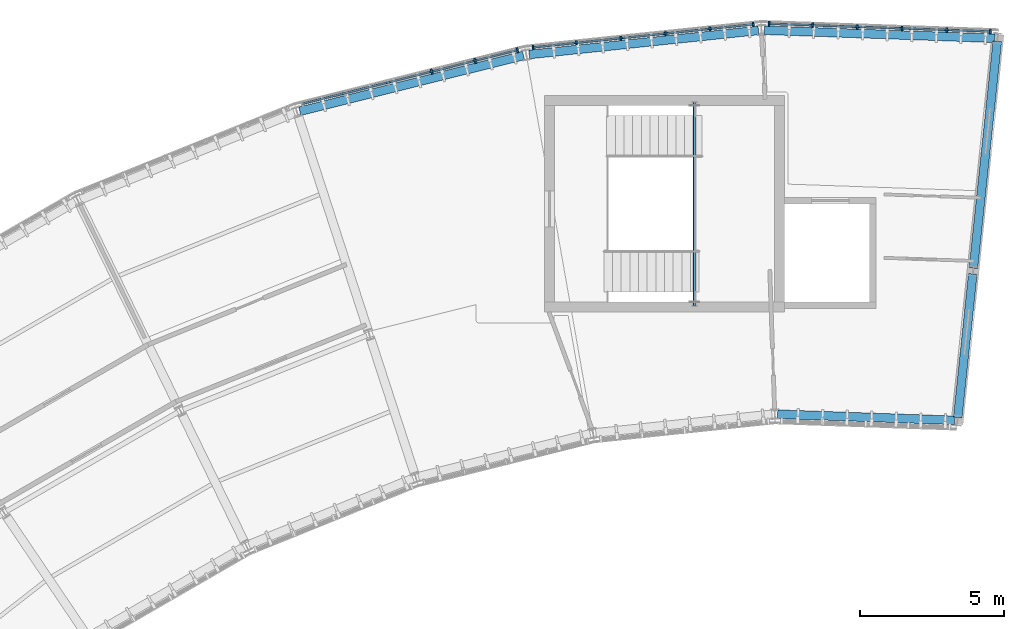
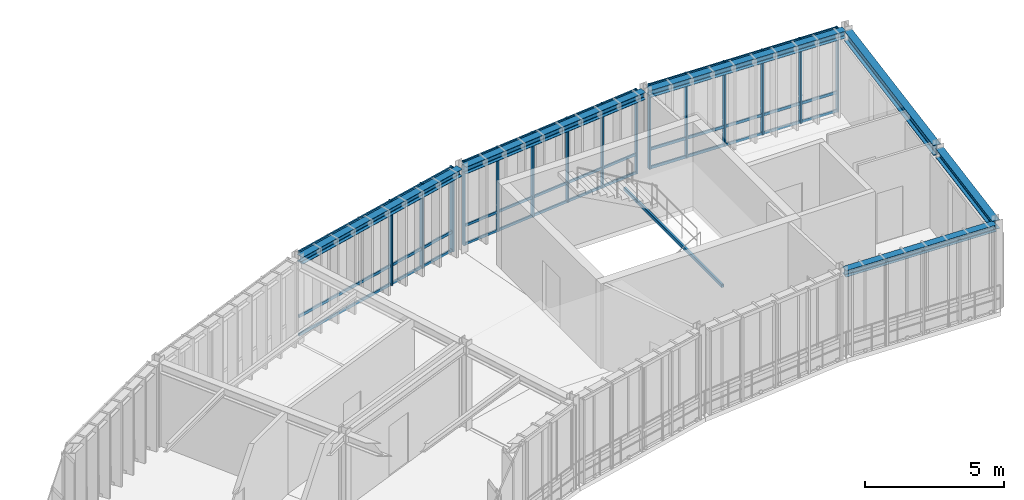
# One storey, part 17 of 41: 25 members, 6 beams, 3 elements without a shape of their own.
"""IFC4 building model written with IfcOpenShell, lengths in metres."""

from ifc_helpers import new_model, si_unit, direction, frame, origin, origin_2d, place, context, subcontext, project, spatial, rectangle, hollow_rectangle, i_section, extrude, material, layer, layer_set, material_profile, profile_set, type_object, element, aggregate, save


model = new_model("IFC4")

# Units and contexts
model_context = context("Model", 3, precision=1e-05, world=origin(), true_north=direction((0.0, 1.0)))
body_context = subcontext(model_context, "Body", "Model", "MODEL_VIEW")
ifc_project = project(units=[si_unit("LENGTHUNIT", "METRE"), si_unit("AREAUNIT", "SQUARE_METRE"), si_unit("VOLUMEUNIT", "CUBIC_METRE"), si_unit("PLANEANGLEUNIT", "RADIAN"), si_unit("MASSUNIT", "GRAM", prefix="KILO"), si_unit("THERMODYNAMICTEMPERATUREUNIT", "KELVIN"), si_unit("POWERUNIT", "WATT")], contexts=[model_context])

# Site, building, storey
site_placement = place(None, origin())
site = spatial("IfcSite", under=ifc_project, at=site_placement, CompositionType="ELEMENT")
building_placement = place(site_placement, origin())
building = spatial("IfcBuilding", under=site, at=building_placement, Name="Solvatero Civic Police Headquarters", CompositionType="ELEMENT")
storey_placement = place(building_placement, frame((0.0, 0.0, 17.699951171875)))
storey = spatial("IfcBuildingStorey", under=building, at=storey_placement, Name="L04", CompositionType="ELEMENT", Elevation=17.699951171875)

# Beams
ifc_material_1 = material(Name="Steel S355", Category="steel")
ifc_material_profile_1 = material_profile(ifc_material_1, i_section(OverallWidth=0.300048828125, OverallDepth=0.2900390625, WebThickness=0.008544921875, FlangeThickness=0.013916015625, FilletRadius=0.027099609375, at=origin_2d()), Name="HEA 300")
ifc_profile_set_1 = profile_set([ifc_material_profile_1], Name="Steel S355")
beam_type_1 = type_object("IfcBeamType", Name="BM-ST-HEA300", PredefinedType="SPANDREL", material=ifc_profile_set_1)
beam_1_placement = place(storey_placement, frame((98.640380859375, 71.10498046875, 3.554931640625), z_axis=(-0.999390615504, 0.034905553175, 0.0), x_axis=(-0.034905553175, -0.999390615504, 0.0)))
element("IfcBeam", 1, at=beam_1_placement, inside=storey, type_object=beam_type_1, Name="Perimeter / radial spandrel beam BM-R2-L04-ARC-CIN-B01", PredefinedType="SPANDREL", context=body_context, shape_type="SweptSolid", body=[
    extrude(i_section(OverallWidth=0.300048828125, OverallDepth=0.2900390625, WebThickness=0.008544921875, FlangeThickness=0.013916015625, FilletRadius=0.027099609375, at=origin_2d()), origin(), (0.0, 0.0, 1.0), 6.126953125),
])
ifc_material_profile_2 = material_profile(ifc_material_1, i_section(OverallWidth=0.300048828125, OverallDepth=0.31005859375, WebThickness=0.009033203125, FlangeThickness=0.015380859375, FilletRadius=0.027099609375, at=origin_2d()), Name="HEA 320")
ifc_profile_set_2 = profile_set([ifc_material_profile_2], Name="Steel S355")
beam_type_2 = type_object("IfcBeamType", Name="BM-ST-HEA320", PredefinedType="SPANDREL", material=ifc_profile_set_2)
beam_2_placement = place(storey_placement, frame((100.03076171875, 84.332275390625, 3.545166015625), z_axis=(-0.999390940069, 0.034896259223, 0.0), x_axis=(-0.034896259223, -0.999390940069, 0.0)))
element("IfcBeam", 2, at=beam_2_placement, inside=storey, type_object=beam_type_2, Name="Perimeter / radial spandrel beam BM-R2-L04-ARC-COUT-B01", PredefinedType="SPANDREL", context=body_context, shape_type="SweptSolid", body=[
    extrude(i_section(OverallWidth=0.300048828125, OverallDepth=0.31005859375, WebThickness=0.009033203125, FlangeThickness=0.015380859375, FilletRadius=0.027099609375, at=origin_2d()), origin(), (0.0, 0.0, 1.0), 7.982666015625),
])
beam_3_placement = place(storey_placement, frame((91.853515625, 84.603759765625, 3.545166015625), z_axis=(-0.994523705386, -0.10451124066, 0.0), x_axis=(0.10451124066, -0.994523705386, 0.0)))
element("IfcBeam", 3, at=beam_3_placement, inside=storey, type_object=beam_type_2, Name="Perimeter / radial spandrel beam BM-R2-L04-ARC-COUT-B02", PredefinedType="SPANDREL", context=body_context, shape_type="SweptSolid", body=[
    extrude(i_section(OverallWidth=0.300048828125, OverallDepth=0.31005859375, WebThickness=0.009033203125, FlangeThickness=0.015380859375, FilletRadius=0.027099609375, at=origin_2d()), origin(), (0.0, 0.0, 1.0), 7.982177734375),
])
beam_4_placement = place(storey_placement, frame((83.718505859375, 83.73486328125, 3.545166015625), z_axis=(-0.970295230115, -0.241923885586, 0.0), x_axis=(0.241923885586, -0.970295230115, 0.0)))
element("IfcBeam", 4, at=beam_4_placement, inside=storey, type_object=beam_type_2, Name="Perimeter / radial spandrel beam BM-R2-L04-ARC-COUT-B03", PredefinedType="SPANDREL", context=body_context, shape_type="SweptSolid", body=[
    extrude(i_section(OverallWidth=0.300048828125, OverallDepth=0.31005859375, WebThickness=0.009033203125, FlangeThickness=0.015380859375, FilletRadius=0.027099609375, at=origin_2d()), origin(), (0.0, 0.0, 1.0), 7.982421875),
])
ifc_material_profile_3 = material_profile(ifc_material_1, i_section(OverallWidth=0.300048828125, OverallDepth=0.389892578125, WebThickness=0.010986328125, FlangeThickness=0.01904296875, FilletRadius=0.027099609375, at=origin_2d()), Name="HEA 400")
ifc_profile_set_3 = profile_set([ifc_material_profile_3], Name="Steel S355")
beam_type_3 = type_object("IfcBeamType", Name="BM-ST-HEA400", PredefinedType="BEAM", material=ifc_profile_set_3)
beam_5_placement = place(storey_placement, frame((98.7509765625, 71.201171875, 3.505126953125), z_axis=(0.104496685935, 0.994525234787, 0.0), x_axis=(-0.994525234787, 0.104496685935, 0.0)))
element("IfcBeam", 5, at=beam_5_placement, inside=storey, type_object=beam_type_3, Name="Primary girder BM-R2-L04-ARC-RAD1-S00", PredefinedType="BEAM", context=body_context, shape_type="SweptSolid", body=[
    extrude(i_section(OverallWidth=0.300048828125, OverallDepth=0.389892578125, WebThickness=0.010986328125, FlangeThickness=0.01904296875, FilletRadius=0.027099609375, at=origin_2d()), origin(), (0.0, 0.0, 1.0), 4.999755859375),
])
ifc_material_profile_4 = material_profile(ifc_material_1, i_section(OverallWidth=0.300048828125, OverallDepth=0.43994140625, WebThickness=0.011474609375, FlangeThickness=0.02099609375, FilletRadius=0.027099609375, at=origin_2d()), Name="HEA 450")
ifc_profile_set_4 = profile_set([ifc_material_profile_4], Name="Steel S355")
beam_type_4 = type_object("IfcBeamType", Name="BM-ST-HEA450", PredefinedType="BEAM", material=ifc_profile_set_4)
beam_6_placement = place(storey_placement, frame((99.29443359375, 76.37255859375, 3.47998046875), z_axis=(0.104517477854, 0.99452304992, 0.0), x_axis=(-0.99452304992, 0.104517477854, 0.0)))
element("IfcBeam", 6, at=beam_6_placement, inside=storey, type_object=beam_type_4, Name="Primary girder BM-R2-L04-ARC-RAD2-S00", PredefinedType="BEAM", context=body_context, shape_type="SweptSolid", body=[
    extrude(i_section(OverallWidth=0.300048828125, OverallDepth=0.43994140625, WebThickness=0.011474609375, FlangeThickness=0.02099609375, FilletRadius=0.027099609375, at=origin_2d()), origin(), (0.0, 0.0, 1.0), 7.89990234375),
])

# Curtain wall, members
ifc_material_2 = material(Name="Anodized Bronze Aluminium", Category="aluminium")
ifc_layer = layer(ifc_material_2, 0.179931640625)
ifc_layer_set = layer_set([ifc_layer], Name="Anodized Bronze Aluminium")
curtain_wall_type = type_object("IfcCurtainWallType", Name="CW-ARC-OUT", PredefinedType="USERDEFINED", material=ifc_layer_set)
curtain_wall_1_placement = place(storey_placement, origin())
curtain_wall_1 = element("IfcCurtainWall", 7, at=curtain_wall_1_placement, inside=storey, type_object=curtain_wall_type, Name="Curtain Wall CW-R2-L04-ARC-OUT-B02", ObjectType="UNITISED", PredefinedType="USERDEFINED")
ifc_material_profile_5 = material_profile(ifc_material_2, rectangle(XDim=0.06005859375, YDim=0.139892578125, at=origin_2d()), Name="ALU MULLION 60x140")
ifc_profile_set_5 = profile_set([ifc_material_profile_5], Name="Anodized Bronze Aluminium")
member_type_1 = type_object("IfcMemberType", Name="CWM-160x65", PredefinedType="MULLION", material=ifc_profile_set_5)
member_1_placement = place(storey_placement, frame((91.67041015625, 84.815185546875, 0.0), z_axis=(0.0, 0.0, 1.0), x_axis=(-0.994523719583, -0.10451110557, 0.0)))
member_1 = element("IfcMember", 8, at=member_1_placement, type_object=member_type_1, Name="CW-R2-L04-ARC-OUT-B02 Mullion 1", PredefinedType="MULLION", context=body_context, shape_type="SweptSolid", body=[
    extrude(rectangle(XDim=0.06005859375, YDim=0.139892578125, at=origin_2d()), origin(), (0.0, 0.0, 1.0), 3.699951171875),
])
member_2_placement = place(storey_placement, frame((90.17041015625, 84.657470703125, 0.0), z_axis=(0.0, 0.0, 1.0), x_axis=(-0.994523719583, -0.10451110557, 0.0)))
member_2 = element("IfcMember", 9, at=member_2_placement, type_object=member_type_1, Name="CW-R2-L04-ARC-OUT-B02 Mullion 2", PredefinedType="MULLION", context=body_context, shape_type="SweptSolid", body=[
    extrude(rectangle(XDim=0.06005859375, YDim=0.139892578125, at=origin_2d()), origin(), (0.0, 0.0, 1.0), 3.699951171875),
])
member_3_placement = place(storey_placement, frame((88.63037109375, 84.49560546875, 0.0), z_axis=(0.0, 0.0, 1.0), x_axis=(-0.994523719583, -0.10451110557, 0.0)))
member_3 = element("IfcMember", 10, at=member_3_placement, type_object=member_type_1, Name="CW-R2-L04-ARC-OUT-B02 Mullion 3", PredefinedType="MULLION", context=body_context, shape_type="SweptSolid", body=[
    extrude(rectangle(XDim=0.06005859375, YDim=0.139892578125, at=origin_2d()), origin(), (0.0, 0.0, 1.0), 3.699951171875),
])
member_4_placement = place(storey_placement, frame((87.09033203125, 84.333740234375, 0.0), z_axis=(0.0, 0.0, 1.0), x_axis=(-0.994523719583, -0.10451110557, 0.0)))
member_4 = element("IfcMember", 11, at=member_4_placement, type_object=member_type_1, Name="CW-R2-L04-ARC-OUT-B02 Mullion 4", PredefinedType="MULLION", context=body_context, shape_type="SweptSolid", body=[
    extrude(rectangle(XDim=0.06005859375, YDim=0.139892578125, at=origin_2d()), origin(), (0.0, 0.0, 1.0), 3.699951171875),
])
member_5_placement = place(storey_placement, frame((85.55029296875, 84.172119140625, 0.0), z_axis=(0.0, 0.0, 1.0), x_axis=(-0.994523719583, -0.10451110557, 0.0)))
member_5 = element("IfcMember", 12, at=member_5_placement, type_object=member_type_1, Name="CW-R2-L04-ARC-OUT-B02 Mullion 5", PredefinedType="MULLION", context=body_context, shape_type="SweptSolid", body=[
    extrude(rectangle(XDim=0.06005859375, YDim=0.139892578125, at=origin_2d()), origin(), (0.0, 0.0, 1.0), 3.699951171875),
])
member_6_placement = place(storey_placement, frame((84.050048828125, 84.014404296875, 0.0), z_axis=(0.0, 0.0, 1.0), x_axis=(-0.994523719583, -0.10451110557, 0.0)))
member_6 = element("IfcMember", 13, at=member_6_placement, type_object=member_type_1, Name="CW-R2-L04-ARC-OUT-B02 Mullion 6", PredefinedType="MULLION", context=body_context, shape_type="SweptSolid", body=[
    extrude(rectangle(XDim=0.06005859375, YDim=0.139892578125, at=origin_2d()), origin(), (0.0, 0.0, 1.0), 3.699951171875),
])

curtain_wall_2_placement = place(storey_placement, origin())
curtain_wall_2 = element("IfcCurtainWall", 14, at=curtain_wall_2_placement, inside=storey, type_object=curtain_wall_type, Name="Curtain Wall CW-R2-L04-ARC-OUT-B01", ObjectType="UNITISED", PredefinedType="USERDEFINED")
ifc_material_profile_6 = material_profile(ifc_material_2, rectangle(XDim=0.06005859375, YDim=0.159912109375, at=origin_2d()), Name="ALU MULLION 60x160")
ifc_profile_set_6 = profile_set([ifc_material_profile_6], Name="Anodized Bronze Aluminium")
member_type_2 = type_object("IfcMemberType", Name="CWM-180x70", PredefinedType="MULLION", material=ifc_profile_set_6)
member_7_placement = place(storey_placement, frame((99.878662109375, 84.56689453125, 0.0), z_axis=(0.0, 0.0, 1.0), x_axis=(-0.999390217756, 0.034916939358, 0.0)))
member_7 = element("IfcMember", 15, at=member_7_placement, type_object=member_type_2, Name="CW-R2-L04-ARC-OUT-B01 Mullion 1", PredefinedType="MULLION", context=body_context, shape_type="SweptSolid", body=[
    extrude(rectangle(XDim=0.06005859375, YDim=0.159912109375, at=origin_2d()), origin(), (0.0, 0.0, 1.0), 3.699951171875),
])
member_8_placement = place(storey_placement, frame((98.37109375, 84.61962890625, 0.0), z_axis=(0.0, 0.0, 1.0), x_axis=(-0.999390217756, 0.034916939358, 0.0)))
member_8 = element("IfcMember", 16, at=member_8_placement, type_object=member_type_2, Name="CW-R2-L04-ARC-OUT-B01 Mullion 2", PredefinedType="MULLION", context=body_context, shape_type="SweptSolid", body=[
    extrude(rectangle(XDim=0.06005859375, YDim=0.159912109375, at=origin_2d()), origin(), (0.0, 0.0, 1.0), 3.699951171875),
])
member_9_placement = place(storey_placement, frame((96.823486328125, 84.673583984375, 0.0), z_axis=(0.0, 0.0, 1.0), x_axis=(-0.999390217756, 0.034916939358, 0.0)))
member_9 = element("IfcMember", 17, at=member_9_placement, type_object=member_type_2, Name="CW-R2-L04-ARC-OUT-B01 Mullion 3", PredefinedType="MULLION", context=body_context, shape_type="SweptSolid", body=[
    extrude(rectangle(XDim=0.06005859375, YDim=0.159912109375, at=origin_2d()), origin(), (0.0, 0.0, 1.0), 3.699951171875),
])
member_10_placement = place(storey_placement, frame((95.276123046875, 84.727783203125, 0.0), z_axis=(0.0, 0.0, 1.0), x_axis=(-0.999390217756, 0.034916939358, 0.0)))
member_10 = element("IfcMember", 18, at=member_10_placement, type_object=member_type_2, Name="CW-R2-L04-ARC-OUT-B01 Mullion 4", PredefinedType="MULLION", context=body_context, shape_type="SweptSolid", body=[
    extrude(rectangle(XDim=0.06005859375, YDim=0.159912109375, at=origin_2d()), origin(), (0.0, 0.0, 1.0), 3.699951171875),
])
member_11_placement = place(storey_placement, frame((93.728515625, 84.78173828125, 0.0), z_axis=(0.0, 0.0, 1.0), x_axis=(-0.999390217756, 0.034916939358, 0.0)))
member_11 = element("IfcMember", 19, at=member_11_placement, type_object=member_type_2, Name="CW-R2-L04-ARC-OUT-B01 Mullion 5", PredefinedType="MULLION", context=body_context, shape_type="SweptSolid", body=[
    extrude(rectangle(XDim=0.06005859375, YDim=0.159912109375, at=origin_2d()), origin(), (0.0, 0.0, 1.0), 3.699951171875),
])
member_12_placement = place(storey_placement, frame((92.220947265625, 84.83447265625, 0.0), z_axis=(0.0, 0.0, 1.0), x_axis=(-0.999390217756, 0.034916939358, 0.0)))
member_12 = element("IfcMember", 20, at=member_12_placement, type_object=member_type_2, Name="CW-R2-L04-ARC-OUT-B01 Mullion 6", PredefinedType="MULLION", context=body_context, shape_type="SweptSolid", body=[
    extrude(rectangle(XDim=0.06005859375, YDim=0.159912109375, at=origin_2d()), origin(), (0.0, 0.0, 1.0), 3.699951171875),
])

curtain_wall_3_placement = place(storey_placement, origin())
curtain_wall_3 = element("IfcCurtainWall", 21, at=curtain_wall_3_placement, inside=storey, type_object=curtain_wall_type, Name="Curtain Wall CW-R2-L04-ARC-OUT-B03", ObjectType="UNITISED", PredefinedType="USERDEFINED")
ifc_material_profile_7 = material_profile(ifc_material_2, rectangle(XDim=0.06494140625, YDim=0.179931640625, at=origin_2d()), Name="ALU MULLION 65x180")
ifc_profile_set_7 = profile_set([ifc_material_profile_7], Name="Anodized Bronze Aluminium")
member_type_3 = type_object("IfcMemberType", Name="CWM-200x75", PredefinedType="MULLION", material=ifc_profile_set_7)
member_13_placement = place(storey_placement, frame((83.5078125, 83.918701171875, 0.0), z_axis=(0.0, 0.0, 1.0), x_axis=(-0.970295726276, -0.2419218956, 0.0)))
member_13 = element("IfcMember", 22, at=member_13_placement, type_object=member_type_3, Name="CW-R2-L04-ARC-OUT-B03 Mullion 1", PredefinedType="MULLION", context=body_context, shape_type="SweptSolid", body=[
    extrude(rectangle(XDim=0.06494140625, YDim=0.179931640625, at=origin_2d()), origin(), (0.0, 0.0, 1.0), 3.699951171875),
])
member_14_placement = place(storey_placement, frame((82.0419921875, 83.55322265625, 0.0), z_axis=(0.0, 0.0, 1.0), x_axis=(-0.970295726276, -0.2419218956, 0.0)))
member_14 = element("IfcMember", 23, at=member_14_placement, type_object=member_type_3, Name="CW-R2-L04-ARC-OUT-B03 Mullion 2", PredefinedType="MULLION", context=body_context, shape_type="SweptSolid", body=[
    extrude(rectangle(XDim=0.06494140625, YDim=0.179931640625, at=origin_2d()), origin(), (0.0, 0.0, 1.0), 3.699951171875),
])
member_15_placement = place(storey_placement, frame((80.53759765625, 83.17822265625, 0.0), z_axis=(0.0, 0.0, 1.0), x_axis=(-0.970295726276, -0.2419218956, 0.0)))
member_15 = element("IfcMember", 24, at=member_15_placement, type_object=member_type_3, Name="CW-R2-L04-ARC-OUT-B03 Mullion 3", PredefinedType="MULLION", context=body_context, shape_type="SweptSolid", body=[
    extrude(rectangle(XDim=0.06494140625, YDim=0.179931640625, at=origin_2d()), origin(), (0.0, 0.0, 1.0), 3.699951171875),
])

# Member
ifc_material_profile_8 = material_profile(ifc_material_2, rectangle(XDim=0.06005859375, YDim=0.110107421875, at=origin_2d()), Name="ALU TRANSOM 60x110")
ifc_profile_set_8 = profile_set([ifc_material_profile_8], Name="Anodized Bronze Aluminium")
member_type_4 = type_object("IfcMemberType", Name="CWT-140x60", PredefinedType="USERDEFINED", material=ifc_profile_set_8)
member_16_placement = place(storey_placement, frame((91.66064453125, 84.814208984375, 0.0400390625), z_axis=(-0.994522244231, -0.104525144004, 0.0), x_axis=(0.104525144004, -0.994522244231, 0.0)))
member_16 = element("IfcMember", 25, at=member_16_placement, type_object=member_type_4, Name="CW-R2-L04-ARC-OUT-B02 Transom 1", ObjectType="TRANSOM", PredefinedType="USERDEFINED", context=body_context, shape_type="SweptSolid", body=[
    extrude(rectangle(XDim=0.06005859375, YDim=0.110107421875, at=origin_2d()), origin(), (0.0, 0.0, 1.0), 7.642333984375),
])

member_17_placement = place(storey_placement, frame((91.66064453125, 84.814208984375, 0.85009765625), z_axis=(-0.994522244231, -0.104525144004, 0.0), x_axis=(0.104525144004, -0.994522244231, 0.0)))
member_17 = element("IfcMember", 26, at=member_17_placement, type_object=member_type_4, Name="CW-R2-L04-ARC-OUT-B02 Transom 2", ObjectType="TRANSOM", PredefinedType="USERDEFINED", context=body_context, shape_type="SweptSolid", body=[
    extrude(rectangle(XDim=0.06005859375, YDim=0.110107421875, at=origin_2d()), origin(), (0.0, 0.0, 1.0), 7.642333984375),
])

member_18_placement = place(storey_placement, frame((91.66064453125, 84.814208984375, 3.66015625), z_axis=(-0.994522244231, -0.104525144004, 0.0), x_axis=(0.104525144004, -0.994522244231, 0.0)))
member_18 = element("IfcMember", 27, at=member_18_placement, type_object=member_type_4, Name="CW-R2-L04-ARC-OUT-B02 Transom 3", ObjectType="TRANSOM", PredefinedType="USERDEFINED", context=body_context, shape_type="SweptSolid", body=[
    extrude(rectangle(XDim=0.06005859375, YDim=0.110107421875, at=origin_2d()), origin(), (0.0, 0.0, 1.0), 7.642333984375),
])

aggregate(curtain_wall_1, [member_1, member_2, member_3, member_4, member_5, member_6, member_16, member_17, member_18])

ifc_material_profile_9 = material_profile(ifc_material_2, rectangle(XDim=0.06005859375, YDim=0.125, at=origin_2d()), Name="ALU TRANSOM 60x125")
ifc_profile_set_9 = profile_set([ifc_material_profile_9], Name="Anodized Bronze Aluminium")
member_type_5 = type_object("IfcMemberType", Name="CWT-160x65", PredefinedType="USERDEFINED", material=ifc_profile_set_9)
member_19_placement = place(storey_placement, frame((99.86865234375, 84.5673828125, 0.0400390625), z_axis=(-0.999390226705, 0.034916683218, 0.0), x_axis=(-0.034916683218, -0.999390226705, 0.0)))
member_19 = element("IfcMember", 28, at=member_19_placement, type_object=member_type_5, Name="CW-R2-L04-ARC-OUT-B01 Transom 1", ObjectType="TRANSOM", PredefinedType="USERDEFINED", context=body_context, shape_type="SweptSolid", body=[
    extrude(rectangle(XDim=0.06005859375, YDim=0.125, at=origin_2d()), origin(), (0.0, 0.0, 1.0), 7.642333984375),
])

member_20_placement = place(storey_placement, frame((99.86865234375, 84.5673828125, 0.85009765625), z_axis=(-0.999390226705, 0.034916683218, 0.0), x_axis=(-0.034916683218, -0.999390226705, 0.0)))
member_20 = element("IfcMember", 29, at=member_20_placement, type_object=member_type_5, Name="CW-R2-L04-ARC-OUT-B01 Transom 2", ObjectType="TRANSOM", PredefinedType="USERDEFINED", context=body_context, shape_type="SweptSolid", body=[
    extrude(rectangle(XDim=0.06005859375, YDim=0.125, at=origin_2d()), origin(), (0.0, 0.0, 1.0), 7.642333984375),
])

member_21_placement = place(storey_placement, frame((99.86865234375, 84.5673828125, 3.66015625), z_axis=(-0.999390226705, 0.034916683218, 0.0), x_axis=(-0.034916683218, -0.999390226705, 0.0)))
member_21 = element("IfcMember", 30, at=member_21_placement, type_object=member_type_5, Name="CW-R2-L04-ARC-OUT-B01 Transom 3", ObjectType="TRANSOM", PredefinedType="USERDEFINED", context=body_context, shape_type="SweptSolid", body=[
    extrude(rectangle(XDim=0.06005859375, YDim=0.125, at=origin_2d()), origin(), (0.0, 0.0, 1.0), 7.642333984375),
])

aggregate(curtain_wall_2, [member_7, member_8, member_9, member_10, member_11, member_12, member_19, member_20, member_21])

member_22_placement = place(storey_placement, frame((83.498046875, 83.916259765625, 0.0400390625), z_axis=(-0.970294322451, -0.241927525964, 0.0), x_axis=(0.241927525964, -0.970294322451, 0.0)))
member_22 = element("IfcMember", 31, at=member_22_placement, type_object=member_type_5, Name="CW-R2-L04-ARC-OUT-B03 Transom 1", ObjectType="TRANSOM", PredefinedType="USERDEFINED", context=body_context, shape_type="SweptSolid", body=[
    extrude(rectangle(XDim=0.06005859375, YDim=0.125, at=origin_2d()), origin(), (0.0, 0.0, 1.0), 7.65234375),
])

member_23_placement = place(storey_placement, frame((83.498046875, 83.916259765625, 0.85009765625), z_axis=(-0.970294322451, -0.241927525964, 0.0), x_axis=(0.241927525964, -0.970294322451, 0.0)))
member_23 = element("IfcMember", 32, at=member_23_placement, type_object=member_type_5, Name="CW-R2-L04-ARC-OUT-B03 Transom 2", ObjectType="TRANSOM", PredefinedType="USERDEFINED", context=body_context, shape_type="SweptSolid", body=[
    extrude(rectangle(XDim=0.06005859375, YDim=0.125, at=origin_2d()), origin(), (0.0, 0.0, 1.0), 7.65234375),
])

member_24_placement = place(storey_placement, frame((83.498046875, 83.916259765625, 3.66015625), z_axis=(-0.970294322451, -0.241927525964, 0.0), x_axis=(0.241927525964, -0.970294322451, 0.0)))
member_24 = element("IfcMember", 33, at=member_24_placement, type_object=member_type_5, Name="CW-R2-L04-ARC-OUT-B03 Transom 3", ObjectType="TRANSOM", PredefinedType="USERDEFINED", context=body_context, shape_type="SweptSolid", body=[
    extrude(rectangle(XDim=0.06005859375, YDim=0.125, at=origin_2d()), origin(), (0.0, 0.0, 1.0), 7.65234375),
])

aggregate(curtain_wall_3, [member_13, member_14, member_15, member_22, member_23, member_24])

ifc_material_profile_10 = material_profile(ifc_material_1, hollow_rectangle(XDim=0.10009765625, YDim=0.14990234375, WallThickness=0.00634765625, InnerFilletRadius=0.00634765625, OuterFilletRadius=0.0126953125, at=origin_2d()), Name="RHS 150x100x6.3")
ifc_profile_set_10 = profile_set([ifc_material_profile_10], Name="Steel S355")
member_type_6 = type_object("IfcMemberType", Name="MB-BR-RHS150", PredefinedType="BRACE", material=ifc_profile_set_10)
member_25_placement = place(storey_placement, frame((89.639892578125, 75.080078125, 1.675048828125), z_axis=(0.0, 1.0, 0.0), x_axis=(-1.0, 0.0, 0.0)))
element("IfcMember", 34, at=member_25_placement, inside=storey, type_object=member_type_6, Name="ST-C3 L04 Landing Support Beam", PredefinedType="BRACE", context=body_context, shape_type="SweptSolid", body=[
    extrude(hollow_rectangle(XDim=0.10009765625, YDim=0.14990234375, WallThickness=0.00634765625, InnerFilletRadius=0.00634765625, OuterFilletRadius=0.0126953125, at=origin_2d()), origin(), (0.0, 0.0, 1.0), 7.0400390625),
])

save(model, "model.ifc")
